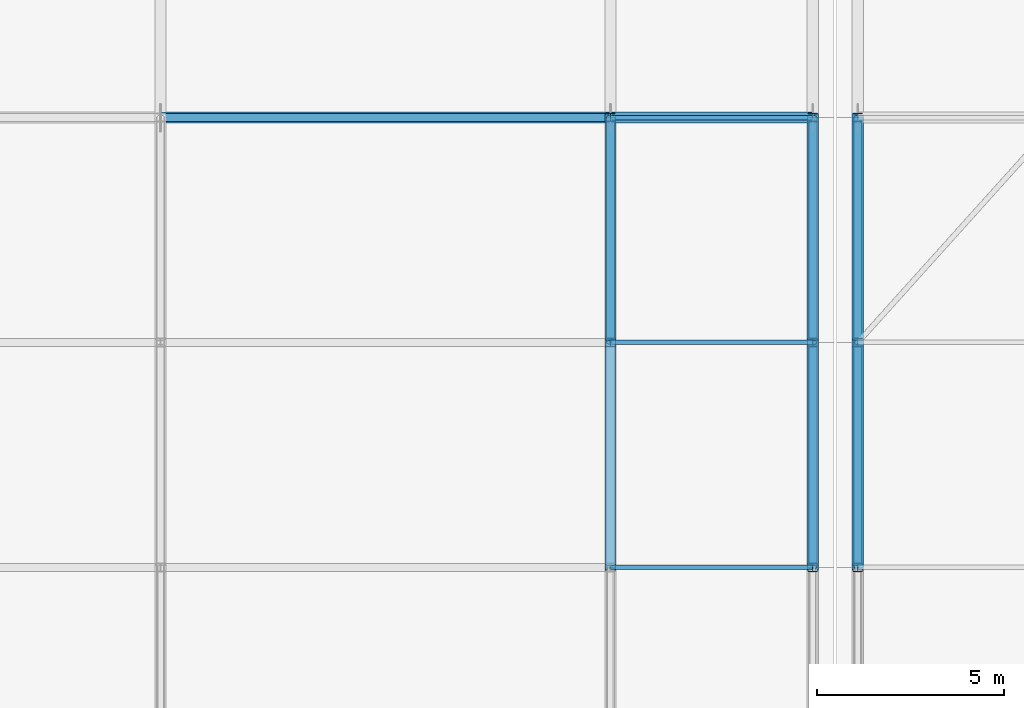
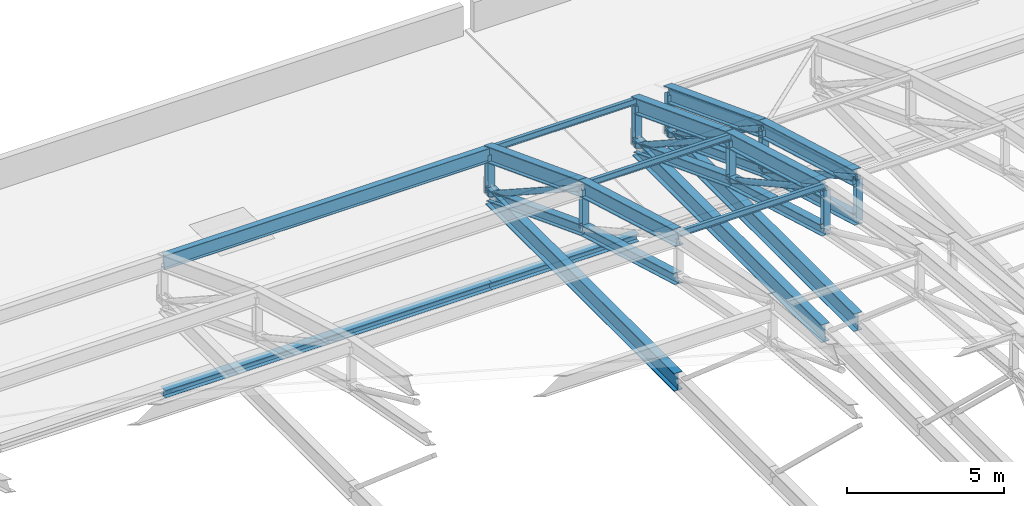
# One storey, part 147 of 204: 32 members, 2 beams.
"""IFC4 building model written with IfcOpenShell, lengths in metres."""

from ifc_helpers import new_model, si_unit, direction, frame, origin, origin_2d, place, context, subcontext, project, spatial, hollow_circle, i_section, extrude, material, material_profile, profile_set, type_object, element, save


model = new_model("IFC4")

# Units and contexts
model_context = context("Model", 3, precision=1e-05, world=origin(), true_north=direction((0.0, 1.0)))
body_context = subcontext(model_context, "Body", "Model", "MODEL_VIEW")
ifc_project = project(units=[si_unit("LENGTHUNIT", "METRE"), si_unit("AREAUNIT", "SQUARE_METRE"), si_unit("VOLUMEUNIT", "CUBIC_METRE"), si_unit("PLANEANGLEUNIT", "RADIAN"), si_unit("MASSUNIT", "GRAM", prefix="KILO")], contexts=[model_context])

# Site, building, storey
site_placement = place(None, origin())
site = spatial("IfcSite", under=ifc_project, at=site_placement, CompositionType="ELEMENT")
building_placement = place(site_placement, origin())
building = spatial("IfcBuilding", under=site, at=building_placement, Name="Zilviju Railside Exhibition Hall", CompositionType="ELEMENT")
storey_placement = place(building_placement, frame((0.0, 0.0, 21.0)))
storey = spatial("IfcBuildingStorey", under=building, at=storey_placement, Name="RF", CompositionType="ELEMENT", Elevation=21.0)

# Beams
ifc_material = material(Name="Steel S355J2", Category="steel")
ifc_material_profile_1 = material_profile(ifc_material, i_section(OverallWidth=0.300048828125, OverallDepth=0.2900390625, WebThickness=0.008544921875, FlangeThickness=0.013916015625, at=origin_2d()), Name="HEA 300")
ifc_profile_set_1 = profile_set([ifc_material_profile_1], Name="Steel S355J2")
beam_type = type_object("IfcBeamType", Name="BM-HEA300", PredefinedType="SPANDREL", material=ifc_profile_set_1)
beam_1_placement = place(storey_placement, frame((108.0, 138.0, -7.094970703125), z_axis=(1.0, 0.0, 0.0), x_axis=(0.0, 1.0, 0.0)))
element("IfcBeam", 1, at=beam_1_placement, inside=storey, type_object=beam_type, Name="Logistics Roof Beam Y=138.0 (108.0..120.0)", PredefinedType="SPANDREL", context=body_context, shape_type="SweptSolid", body=[
    extrude(i_section(OverallWidth=0.300048828125, OverallDepth=0.2900390625, WebThickness=0.008544921875, FlangeThickness=0.013916015625, at=origin_2d()), origin(), (0.0, 0.0, 1.0), 12.0),
])
beam_2_placement = place(storey_placement, frame((120.0, 138.0, -7.094970703125), z_axis=(1.0, 0.0, 0.0), x_axis=(0.0, 1.0, 0.0)))
element("IfcBeam", 2, at=beam_2_placement, inside=storey, type_object=beam_type, Name="Logistics Roof Beam Y=138.0 (120.0..125.4)", PredefinedType="SPANDREL", context=body_context, shape_type="SweptSolid", body=[
    extrude(i_section(OverallWidth=0.300048828125, OverallDepth=0.2900390625, WebThickness=0.008544921875, FlangeThickness=0.013916015625, at=origin_2d()), origin(), (0.0, 0.0, 1.0), 5.39990234375),
])

# Members
ifc_material_profile_2 = material_profile(ifc_material, hollow_circle(Radius=0.109619140625, WallThickness=0.010009765625, at=origin_2d()), Name="CHS 219.1x10.0")
ifc_profile_set_2 = profile_set([ifc_material_profile_2], Name="Steel S355J2")
member_type_1 = type_object("IfcMemberType", Name="TR-BR-CHS219", PredefinedType="BRACE", material=ifc_profile_set_2)
member_1_placement = place(storey_placement, frame((120.0, 132.0, 0.291259765625), z_axis=(0.0, 0.838995406637, -0.544138500423), x_axis=(-1.0, 0.0, 0.0)))
element("IfcMember", 3, at=member_1_placement, inside=storey, type_object=member_type_1, Name="V2 Parabolic Arch Web Diagonal X=120.0 P9", PredefinedType="BRACE", context=body_context, shape_type="SweptSolid", body=[
    extrude(hollow_circle(Radius=0.109619140625, WallThickness=0.010009765625, at=origin_2d()), origin(), (0.0, 0.0, 1.0), 7.1513671875),
])
member_2_placement = place(storey_placement, frame((125.39990234375, 126.0, 2.009765625), z_axis=(0.0, 0.8750828143, -0.483973210122), x_axis=(-1.0, 0.0, 0.0)))
element("IfcMember", 4, at=member_2_placement, inside=storey, type_object=member_type_1, Name="V2 Parabolic Arch Web Diagonal X=125.4 P8", PredefinedType="BRACE", context=body_context, shape_type="SweptSolid", body=[
    extrude(hollow_circle(Radius=0.109619140625, WallThickness=0.010009765625, at=origin_2d()), origin(), (0.0, 0.0, 1.0), 6.8564453125),
])
member_3_placement = place(storey_placement, frame((125.39990234375, 132.0, 0.291259765625), z_axis=(0.0, 0.838995406637, -0.544138500423), x_axis=(-1.0, 0.0, 0.0)))
element("IfcMember", 5, at=member_3_placement, inside=storey, type_object=member_type_1, Name="V2 Parabolic Arch Web Diagonal X=125.4 P9", PredefinedType="BRACE", context=body_context, shape_type="SweptSolid", body=[
    extrude(hollow_circle(Radius=0.109619140625, WallThickness=0.010009765625, at=origin_2d()), origin(), (0.0, 0.0, 1.0), 7.1513671875),
])
member_4_placement = place(storey_placement, frame((126.60009765625, 126.0, 2.009765625), z_axis=(0.0, 0.8750828143, -0.483973210122), x_axis=(-1.0, 0.0, 0.0)))
element("IfcMember", 6, at=member_4_placement, inside=storey, type_object=member_type_1, Name="V2 Parabolic Arch Web Diagonal X=126.6 P8", PredefinedType="BRACE", context=body_context, shape_type="SweptSolid", body=[
    extrude(hollow_circle(Radius=0.109619140625, WallThickness=0.010009765625, at=origin_2d()), origin(), (0.0, 0.0, 1.0), 6.8564453125),
])
member_5_placement = place(storey_placement, frame((126.60009765625, 132.0, 0.291259765625), z_axis=(0.0, 0.838995406637, -0.544138500423), x_axis=(-1.0, 0.0, 0.0)))
element("IfcMember", 7, at=member_5_placement, inside=storey, type_object=member_type_1, Name="V2 Parabolic Arch Web Diagonal X=126.6 P9", PredefinedType="BRACE", context=body_context, shape_type="SweptSolid", body=[
    extrude(hollow_circle(Radius=0.109619140625, WallThickness=0.010009765625, at=origin_2d()), origin(), (0.0, 0.0, 1.0), 7.1513671875),
])
ifc_material_profile_3 = material_profile(ifc_material, i_section(OverallWidth=0.300048828125, OverallDepth=0.39990234375, WebThickness=0.013427734375, FlangeThickness=0.02392578125, at=origin_2d()), Name="HEB 400")
ifc_profile_set_3 = profile_set([ifc_material_profile_3], Name="Steel S355J2")
member_type_2 = type_object("IfcMemberType", Name="TR-CH-HEB400", PredefinedType="CHORD", material=ifc_profile_set_3)
member_6_placement = place(storey_placement, frame((120.0, 126.0, 0.409912109375), z_axis=(0.0, 0.961345133658, -0.275346207512), x_axis=(-1.0, 0.0, 0.0)))
element("IfcMember", 8, at=member_6_placement, inside=storey, type_object=member_type_2, Name="V2 Parabolic Arch Bottom Chord X=120.0 P8", PredefinedType="CHORD", context=body_context, shape_type="SweptSolid", body=[
    extrude(i_section(OverallWidth=0.300048828125, OverallDepth=0.39990234375, WebThickness=0.013427734375, FlangeThickness=0.02392578125, at=origin_2d()), origin(), (0.0, 0.0, 1.0), 6.2412109375),
])
member_7_placement = place(storey_placement, frame((120.0, 132.0, -1.30859375), z_axis=(0.0, 0.934187521086, -0.35678239229), x_axis=(-1.0, 0.0, 0.0)))
element("IfcMember", 9, at=member_7_placement, inside=storey, type_object=member_type_2, Name="V2 Parabolic Arch Bottom Chord X=120.0 P9", PredefinedType="CHORD", context=body_context, shape_type="SweptSolid", body=[
    extrude(i_section(OverallWidth=0.300048828125, OverallDepth=0.39990234375, WebThickness=0.013427734375, FlangeThickness=0.02392578125, at=origin_2d()), origin(), (0.0, 0.0, 1.0), 6.422607421875),
])
member_8_placement = place(storey_placement, frame((125.39990234375, 126.0, 0.409912109375), z_axis=(0.0, 0.961345133658, -0.275346207512), x_axis=(-1.0, 0.0, 0.0)))
element("IfcMember", 10, at=member_8_placement, inside=storey, type_object=member_type_2, Name="V2 Parabolic Arch Bottom Chord X=125.4 P8", PredefinedType="CHORD", context=body_context, shape_type="SweptSolid", body=[
    extrude(i_section(OverallWidth=0.300048828125, OverallDepth=0.39990234375, WebThickness=0.013427734375, FlangeThickness=0.02392578125, at=origin_2d()), origin(), (0.0, 0.0, 1.0), 6.2412109375),
])
member_9_placement = place(storey_placement, frame((125.39990234375, 132.0, -1.30859375), z_axis=(0.0, 0.934187521086, -0.35678239229), x_axis=(-1.0, 0.0, 0.0)))
element("IfcMember", 11, at=member_9_placement, inside=storey, type_object=member_type_2, Name="V2 Parabolic Arch Bottom Chord X=125.4 P9", PredefinedType="CHORD", context=body_context, shape_type="SweptSolid", body=[
    extrude(i_section(OverallWidth=0.300048828125, OverallDepth=0.39990234375, WebThickness=0.013427734375, FlangeThickness=0.02392578125, at=origin_2d()), origin(), (0.0, 0.0, 1.0), 6.422607421875),
])
member_10_placement = place(storey_placement, frame((126.60009765625, 126.0, 0.409912109375), z_axis=(0.0, 0.961345133658, -0.275346207512), x_axis=(-1.0, 0.0, 0.0)))
element("IfcMember", 12, at=member_10_placement, inside=storey, type_object=member_type_2, Name="V2 Parabolic Arch Bottom Chord X=126.6 P8", PredefinedType="CHORD", context=body_context, shape_type="SweptSolid", body=[
    extrude(i_section(OverallWidth=0.300048828125, OverallDepth=0.39990234375, WebThickness=0.013427734375, FlangeThickness=0.02392578125, at=origin_2d()), origin(), (0.0, 0.0, 1.0), 6.2412109375),
])
member_11_placement = place(storey_placement, frame((126.60009765625, 132.0, -1.30859375), z_axis=(0.0, 0.934187521086, -0.35678239229), x_axis=(-1.0, 0.0, 0.0)))
element("IfcMember", 13, at=member_11_placement, inside=storey, type_object=member_type_2, Name="V2 Parabolic Arch Bottom Chord X=126.6 P9", PredefinedType="CHORD", context=body_context, shape_type="SweptSolid", body=[
    extrude(i_section(OverallWidth=0.300048828125, OverallDepth=0.39990234375, WebThickness=0.013427734375, FlangeThickness=0.02392578125, at=origin_2d()), origin(), (0.0, 0.0, 1.0), 6.422607421875),
])
ifc_material_profile_4 = material_profile(ifc_material, i_section(OverallWidth=0.300048828125, OverallDepth=0.60009765625, WebThickness=0.015380859375, FlangeThickness=0.030029296875, at=origin_2d()), Name="HEB 600")
ifc_profile_set_4 = profile_set([ifc_material_profile_4], Name="Steel S355J2")
member_type_3 = type_object("IfcMemberType", Name="TR-CH-HEB600", PredefinedType="CHORD", material=ifc_profile_set_4)
member_12_placement = place(storey_placement, frame((120.0, 126.0, 2.009765625), z_axis=(0.0, 0.961345133658, -0.275346207512), x_axis=(-1.0, 0.0, 0.0)))
element("IfcMember", 14, at=member_12_placement, inside=storey, type_object=member_type_3, Name="V2 Parabolic Arch Top Chord X=120.0 P8", PredefinedType="CHORD", context=body_context, shape_type="SweptSolid", body=[
    extrude(i_section(OverallWidth=0.300048828125, OverallDepth=0.60009765625, WebThickness=0.015380859375, FlangeThickness=0.030029296875, at=origin_2d()), origin(), (0.0, 0.0, 1.0), 6.2412109375),
])
member_13_placement = place(storey_placement, frame((120.0, 132.0, 0.291259765625), z_axis=(0.0, 0.934200190194, -0.356749218138), x_axis=(-1.0, 0.0, 0.0)))
element("IfcMember", 15, at=member_13_placement, inside=storey, type_object=member_type_3, Name="V2 Parabolic Arch Top Chord X=120.0 P9", PredefinedType="CHORD", context=body_context, shape_type="SweptSolid", body=[
    extrude(i_section(OverallWidth=0.300048828125, OverallDepth=0.60009765625, WebThickness=0.015380859375, FlangeThickness=0.030029296875, at=origin_2d()), origin(), (0.0, 0.0, 1.0), 6.422607421875),
])
member_14_placement = place(storey_placement, frame((125.39990234375, 126.0, 2.009765625), z_axis=(0.0, 0.961345133658, -0.275346207512), x_axis=(-1.0, 0.0, 0.0)))
element("IfcMember", 16, at=member_14_placement, inside=storey, type_object=member_type_3, Name="V2 Parabolic Arch Top Chord X=125.4 P8", PredefinedType="CHORD", context=body_context, shape_type="SweptSolid", body=[
    extrude(i_section(OverallWidth=0.300048828125, OverallDepth=0.60009765625, WebThickness=0.015380859375, FlangeThickness=0.030029296875, at=origin_2d()), origin(), (0.0, 0.0, 1.0), 6.2412109375),
])
member_15_placement = place(storey_placement, frame((125.39990234375, 132.0, 0.291259765625), z_axis=(0.0, 0.934200190194, -0.356749218138), x_axis=(-1.0, 0.0, 0.0)))
element("IfcMember", 17, at=member_15_placement, inside=storey, type_object=member_type_3, Name="V2 Parabolic Arch Top Chord X=125.4 P9", PredefinedType="CHORD", context=body_context, shape_type="SweptSolid", body=[
    extrude(i_section(OverallWidth=0.300048828125, OverallDepth=0.60009765625, WebThickness=0.015380859375, FlangeThickness=0.030029296875, at=origin_2d()), origin(), (0.0, 0.0, 1.0), 6.422607421875),
])
member_16_placement = place(storey_placement, frame((126.60009765625, 126.0, 2.009765625), z_axis=(0.0, 0.961345133658, -0.275346207512), x_axis=(-1.0, 0.0, 0.0)))
element("IfcMember", 18, at=member_16_placement, inside=storey, type_object=member_type_3, Name="V2 Parabolic Arch Top Chord X=126.6 P8", PredefinedType="CHORD", context=body_context, shape_type="SweptSolid", body=[
    extrude(i_section(OverallWidth=0.300048828125, OverallDepth=0.60009765625, WebThickness=0.015380859375, FlangeThickness=0.030029296875, at=origin_2d()), origin(), (0.0, 0.0, 1.0), 6.2412109375),
])
member_17_placement = place(storey_placement, frame((126.60009765625, 132.0, 0.291259765625), z_axis=(0.0, 0.934200190194, -0.356749218138), x_axis=(-1.0, 0.0, 0.0)))
element("IfcMember", 19, at=member_17_placement, inside=storey, type_object=member_type_3, Name="V2 Parabolic Arch Top Chord X=126.6 P9", PredefinedType="CHORD", context=body_context, shape_type="SweptSolid", body=[
    extrude(i_section(OverallWidth=0.300048828125, OverallDepth=0.60009765625, WebThickness=0.015380859375, FlangeThickness=0.030029296875, at=origin_2d()), origin(), (0.0, 0.0, 1.0), 6.422607421875),
])
ifc_material_profile_5 = material_profile(ifc_material, i_section(OverallWidth=0.239990234375, OverallDepth=0.22998046875, WebThickness=0.007568359375, FlangeThickness=0.011962890625, at=origin_2d()), Name="HEA 240")
ifc_profile_set_5 = profile_set([ifc_material_profile_5], Name="Steel S355J2")
member_type_4 = type_object("IfcMemberType", Name="TR-POST-HEA240", PredefinedType="POST", material=ifc_profile_set_5)
member_18_placement = place(storey_placement, frame((120.0, 132.0, -1.30859375), z_axis=(0.0, 0.0, 1.0), x_axis=(1.0, 0.0, 0.0)))
element("IfcMember", 20, at=member_18_placement, inside=storey, type_object=member_type_4, Name="V2 Parabolic Arch Web Post X=120.0 N8", PredefinedType="POST", context=body_context, shape_type="SweptSolid", body=[
    extrude(i_section(OverallWidth=0.239990234375, OverallDepth=0.22998046875, WebThickness=0.007568359375, FlangeThickness=0.011962890625, at=origin_2d()), origin(), (0.0, 0.0, 1.0), 1.599853515625),
])
member_19_placement = place(storey_placement, frame((120.0, 138.0, -3.60009765625), z_axis=(0.0, 0.0, 1.0), x_axis=(1.0, 0.0, 0.0)))
element("IfcMember", 21, at=member_19_placement, inside=storey, type_object=member_type_4, Name="V2 Parabolic Arch Web Post X=120.0 N9", PredefinedType="POST", context=body_context, shape_type="SweptSolid", body=[
    extrude(i_section(OverallWidth=0.239990234375, OverallDepth=0.22998046875, WebThickness=0.007568359375, FlangeThickness=0.011962890625, at=origin_2d()), origin(), (0.0, 0.0, 1.0), 1.60009765625),
])
for number, where, z_axis, x_axis, name in (
    (22, (125.39990234375, 126.0, 0.409912109375), (0.0, 0.0, 1.0), (1.0, 0.0, 0.0), "V2 Parabolic Arch Web Post X=125.4 N7"),
    (23, (125.39990234375, 132.0, -1.30859375), (0.0, 0.0, 1.0), (1.0, 0.0, 0.0), "V2 Parabolic Arch Web Post X=125.4 N8"),
):
    element("IfcMember", number, at=place(storey_placement, frame(where, z_axis=z_axis, x_axis=x_axis)), inside=storey, type_object=member_type_4, Name=name, PredefinedType="POST", context=body_context, shape_type="SweptSolid", body=[
        extrude(i_section(OverallWidth=0.239990234375, OverallDepth=0.22998046875, WebThickness=0.007568359375, FlangeThickness=0.011962890625, at=origin_2d()), origin(), (0.0, 0.0, 1.0), 1.599853515625),
    ])
member_20_placement = place(storey_placement, frame((125.39990234375, 138.0, -3.60009765625), z_axis=(0.0, 0.0, 1.0), x_axis=(1.0, 0.0, 0.0)))
element("IfcMember", 24, at=member_20_placement, inside=storey, type_object=member_type_4, Name="V2 Parabolic Arch Web Post X=125.4 N9", PredefinedType="POST", context=body_context, shape_type="SweptSolid", body=[
    extrude(i_section(OverallWidth=0.239990234375, OverallDepth=0.22998046875, WebThickness=0.007568359375, FlangeThickness=0.011962890625, at=origin_2d()), origin(), (0.0, 0.0, 1.0), 1.60009765625),
])
for number, where, z_axis, x_axis, name in (
    (25, (126.60009765625, 126.0, 0.409912109375), (0.0, 0.0, 1.0), (1.0, 0.0, 0.0), "V2 Parabolic Arch Web Post X=126.6 N7"),
    (26, (126.60009765625, 132.0, -1.30859375), (0.0, 0.0, 1.0), (1.0, 0.0, 0.0), "V2 Parabolic Arch Web Post X=126.6 N8"),
):
    element("IfcMember", number, at=place(storey_placement, frame(where, z_axis=z_axis, x_axis=x_axis)), inside=storey, type_object=member_type_4, Name=name, PredefinedType="POST", context=body_context, shape_type="SweptSolid", body=[
        extrude(i_section(OverallWidth=0.239990234375, OverallDepth=0.22998046875, WebThickness=0.007568359375, FlangeThickness=0.011962890625, at=origin_2d()), origin(), (0.0, 0.0, 1.0), 1.599853515625),
    ])
member_21_placement = place(storey_placement, frame((126.60009765625, 138.0, -3.60009765625), z_axis=(0.0, 0.0, 1.0), x_axis=(1.0, 0.0, 0.0)))
element("IfcMember", 27, at=member_21_placement, inside=storey, type_object=member_type_4, Name="V2 Parabolic Arch Web Post X=126.6 N9", PredefinedType="POST", context=body_context, shape_type="SweptSolid", body=[
    extrude(i_section(OverallWidth=0.239990234375, OverallDepth=0.22998046875, WebThickness=0.007568359375, FlangeThickness=0.011962890625, at=origin_2d()), origin(), (0.0, 0.0, 1.0), 1.60009765625),
])
ifc_material_profile_6 = material_profile(ifc_material, i_section(OverallWidth=0.1201171875, OverallDepth=0.239990234375, WebThickness=0.006103515625, FlangeThickness=0.009765625, at=origin_2d()), Name="IPE 240")
ifc_profile_set_6 = profile_set([ifc_material_profile_6], Name="Steel S355J2")
member_type_5 = type_object("IfcMemberType", Name="TR-PUR-IPE240", PredefinedType="PURLIN", material=ifc_profile_set_6)
for number, where, z_axis, x_axis, name in (
    (28, (120.0, 126.0, 2.14306640625), (1.0, 0.0, 0.0), (0.0, 1.0, 0.0), "V2 Barrel Vault Roof Purlin Y=126.0 (120.0..125.4)"),
    (29, (120.0, 132.0, 0.41162109375), (1.0, 0.0, 0.0), (0.0, 1.0, 0.0), "V2 Barrel Vault Roof Purlin Y=132.0 (120.0..125.4)"),
    (30, (120.0, 138.0, -1.85693359375), (1.0, 0.0, 0.0), (0.0, 1.0, 0.0), "V2 Barrel Vault Roof Purlin Y=138.0 (120.0..125.4)"),
):
    element("IfcMember", number, at=place(storey_placement, frame(where, z_axis=z_axis, x_axis=x_axis)), inside=storey, type_object=member_type_5, Name=name, PredefinedType="PURLIN", context=body_context, shape_type="SweptSolid", body=[
        extrude(i_section(OverallWidth=0.1201171875, OverallDepth=0.239990234375, WebThickness=0.006103515625, FlangeThickness=0.009765625, at=origin_2d()), origin(), (0.0, 0.0, 1.0), 5.39990234375),
    ])
ifc_material_profile_7 = material_profile(ifc_material, i_section(OverallWidth=0.2099609375, OverallDepth=0.550048828125, WebThickness=0.010986328125, FlangeThickness=0.01708984375, at=origin_2d()), Name="IPE 550")
ifc_profile_set_7 = profile_set([ifc_material_profile_7], Name="Steel S355J2")
member_type_6 = type_object("IfcMemberType", Name="TR-PUR-IPE550", PredefinedType="PURLIN", material=ifc_profile_set_7)
member_22_placement = place(storey_placement, frame((108.0, 138.0, -2.011962890625), z_axis=(1.0, 0.0, 0.0), x_axis=(0.0, 1.0, 0.0)))
element("IfcMember", 31, at=member_22_placement, inside=storey, type_object=member_type_6, Name="V2 Barrel Vault Roof Purlin Y=138.0 (108.0..120.0)", PredefinedType="PURLIN", context=body_context, shape_type="SweptSolid", body=[
    extrude(i_section(OverallWidth=0.2099609375, OverallDepth=0.550048828125, WebThickness=0.010986328125, FlangeThickness=0.01708984375, at=origin_2d()), origin(), (0.0, 0.0, 1.0), 12.0),
])
ifc_material_profile_8 = material_profile(ifc_material, i_section(OverallWidth=0.300048828125, OverallDepth=0.699951171875, WebThickness=0.01708984375, FlangeThickness=0.031982421875, at=origin_2d()), Name="HEB 700")
ifc_profile_set_8 = profile_set([ifc_material_profile_8], Name="Steel S355J2")
member_type_7 = type_object("IfcMemberType", Name="TR-TIE-HEB700", PredefinedType="CHORD", material=ifc_profile_set_8)
for number, where, z_axis, x_axis, name in (
    (32, (120.0, 126.0, -3.60009765625), (0.0, 1.0, 0.0), (-1.0, 0.0, 0.0), "V2 Arch Tie Member X=120.0"),
    (33, (125.39990234375, 126.0, -3.60009765625), (0.0, 1.0, 0.0), (-1.0, 0.0, 0.0), "V2 Arch Tie Member X=125.4"),
    (34, (126.60009765625, 126.0, -3.60009765625), (0.0, 1.0, 0.0), (-1.0, 0.0, 0.0), "V2 Arch Tie Member X=126.6"),
):
    element("IfcMember", number, at=place(storey_placement, frame(where, z_axis=z_axis, x_axis=x_axis)), inside=storey, type_object=member_type_7, Name=name, PredefinedType="CHORD", context=body_context, shape_type="SweptSolid", body=[
        extrude(i_section(OverallWidth=0.300048828125, OverallDepth=0.699951171875, WebThickness=0.01708984375, FlangeThickness=0.031982421875, at=origin_2d()), origin(), (0.0, 0.0, 1.0), 12.0),
    ])

save(model, "model.ifc")
